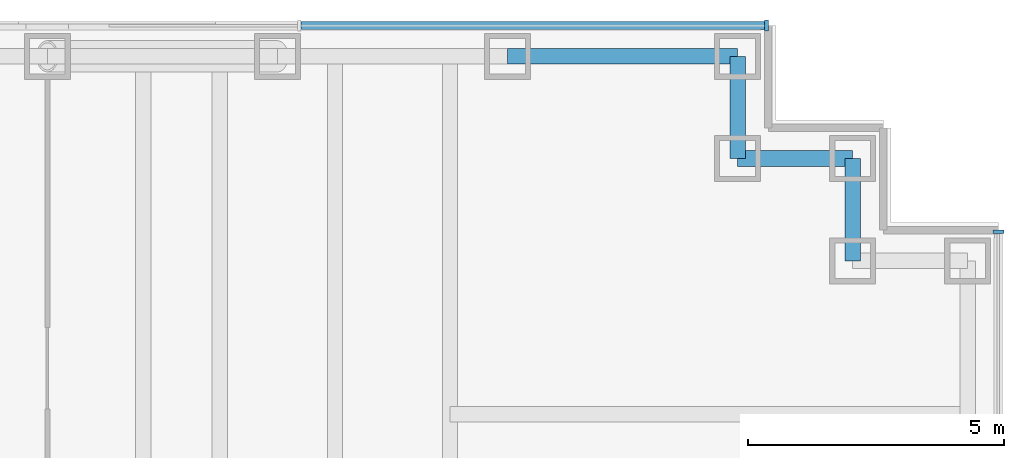
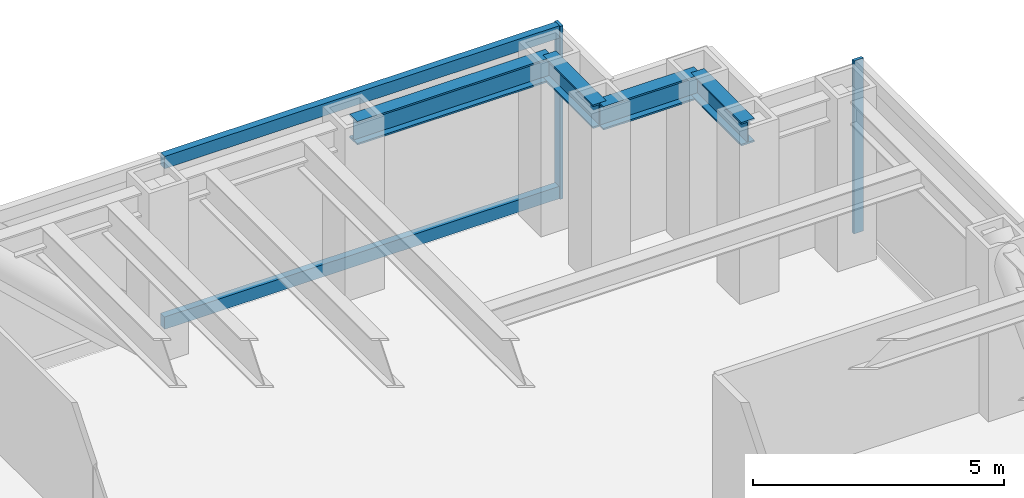
# One storey, part 9 of 15: 4 beams, 4 members, 2 elements without a shape of their own.
"""IFC4 building model written with IfcOpenShell, lengths in metres."""

import ifcopenshell
import ifcopenshell.guid

model = None  # the IFC model being written
_history = None  # IfcOwnerHistory: only IFC2X3 demands one
_inside = {}  # id of a spatial element -> (the spatial element, [elements in it])
_under = {}  # id of a project, library or spatial element -> (it, [spatial elements below it])
_declared = {}  # id of a project -> (the project, [libraries it declares])
_typed = {}  # id of a type object -> (the type object, [elements of that type])
_made_of = {}  # id of a material, layer set ... -> (it, [elements and type objects made of it])


def new_model(schema):
    """Start an empty IFC model of exactly this schema.

    Asked for "IFC4X3", IfcOpenShell would pick the latest addendum, in which some entities
    have other attributes; the version numbers below select the first issue.
    IFC2X3 requires an IfcOwnerHistory on every rooted entity: one is made here for all.
    """
    global model, _history
    if schema == "IFC4X3":
        model = ifcopenshell.file(schema_version=(4, 3, 0, 0))
    else:
        model = ifcopenshell.file(schema=schema)
    _inside.clear()
    _under.clear()
    _declared.clear()
    _typed.clear()
    _made_of.clear()
    _history = None
    if model.schema == "IFC2X3":
        org = make("IfcOrganization", Name="unknown")
        user = make(
            "IfcPersonAndOrganization",
            ThePerson=make("IfcPerson", FamilyName="unknown"),
            TheOrganization=org,
        )
        app = make(
            "IfcApplication",
            ApplicationDeveloper=org,
            Version="unknown",
            ApplicationFullName="unknown",
            ApplicationIdentifier="unknown",
        )
        _history = make(
            "IfcOwnerHistory",
            OwningUser=user,
            OwningApplication=app,
            ChangeAction="ADDED",
            CreationDate=0,
        )
    return model


def make(cls, **values):
    """One entity of the class cls with the attributes given. An attribute that is None is left unset."""
    return model.create_entity(
        cls, **{name: value for name, value in values.items() if value is not None}
    )


def rooted(cls, **values):
    """An entity with a GlobalId (a new one), such as an element, a storey or a relation."""
    return make(cls, GlobalId=ifcopenshell.guid.new(), OwnerHistory=_history, **values)


def si_unit(unit_type, name, prefix=None):
    """IfcSIUnit, for example si_unit("LENGTHUNIT", "METRE", prefix="MILLI")."""
    return make("IfcSIUnit", UnitType=unit_type, Prefix=prefix, Name=name)


def assignment(units):
    """IfcUnitAssignment: the units of a project."""
    return None if units is None else make("IfcUnitAssignment", Units=units)


def point(xyz):
    """IfcCartesianPoint."""
    return None if xyz is None else make("IfcCartesianPoint", Coordinates=xyz)


def direction(xyz):
    """IfcDirection."""
    return None if xyz is None else make("IfcDirection", DirectionRatios=xyz)


def frame(location, z_axis=None, x_axis=None):
    """IfcAxis2Placement3D, a coordinate frame: its origin and axes. An axis left out is left unset."""
    return make(
        "IfcAxis2Placement3D",
        Location=point(location),
        Axis=direction(z_axis),
        RefDirection=direction(x_axis),
    )


def frame_2d(location, x_axis=None):
    """IfcAxis2Placement2D, a coordinate frame in the plane: its origin and x axis."""
    return make(
        "IfcAxis2Placement2D", Location=point(location), RefDirection=direction(x_axis)
    )


def origin():
    """The frame at (0, 0, 0) with its axes left unset."""
    return frame((0.0, 0.0, 0.0))


def origin_2d():
    """The frame at (0, 0) in the plane with its x axis left unset."""
    return frame_2d((0.0, 0.0))


def place(relative_to, where):
    """IfcLocalPlacement: puts the frame where relative to a parent placement (None: the world)."""
    return make(
        "IfcLocalPlacement", PlacementRelTo=relative_to, RelativePlacement=where
    )


def context(
    kind, dimensions, precision=None, world=None, true_north=None, identifier=None
):
    """IfcGeometricRepresentationContext, for example the 3D "Model" context."""
    return make(
        "IfcGeometricRepresentationContext",
        ContextIdentifier=identifier,
        ContextType=kind,
        CoordinateSpaceDimension=dimensions,
        Precision=precision,
        WorldCoordinateSystem=world,
        TrueNorth=true_north,
    )


def subcontext(parent, identifier, kind, view, scale=None):
    """IfcGeometricRepresentationSubContext, for example "Body" below "Model"."""
    return make(
        "IfcGeometricRepresentationSubContext",
        ContextIdentifier=identifier,
        ContextType=kind,
        ParentContext=parent,
        TargetScale=scale,
        TargetView=view,
    )


def project(units=None, contexts=None):
    """IfcProject with its units and contexts."""
    return rooted(
        "IfcProject",
        Name="project",
        RepresentationContexts=contexts,
        UnitsInContext=assignment(units),
    )


def spatial(cls, under=None, at=None, **own):
    """A site, building, storey or space (cls), placed at a placement, below another one or the project."""
    s = rooted(cls, ObjectPlacement=at, **own)
    if under is not None:
        _under.setdefault(under.id(), (under, []))[1].append(s)
    return s


def profile(cls, at=None, kind="AREA", **sizes):
    """A parametric profile (cls). Its sizes go by their IFC names, for example OverallWidth=200.0."""
    return make(cls, ProfileType=kind, Position=at, **sizes)


def rectangle(**sizes):
    """IfcRectangleProfileDef."""
    return profile("IfcRectangleProfileDef", **sizes)


def i_section(**sizes):
    """IfcIShapeProfileDef."""
    return profile("IfcIShapeProfileDef", **sizes)


def extrude(swept, where, along, depth):
    """IfcExtrudedAreaSolid: the profile swept, set in the frame where, extruded along a direction by depth."""
    return make(
        "IfcExtrudedAreaSolid",
        SweptArea=swept,
        Position=where,
        ExtrudedDirection=direction(along),
        Depth=depth,
    )


def shape(context_of_items, identifier, shape_type, items):
    """IfcShapeRepresentation: the items that make up one representation, for example the "Body"."""
    return make(
        "IfcShapeRepresentation",
        ContextOfItems=context_of_items,
        RepresentationIdentifier=identifier,
        RepresentationType=shape_type,
        Items=items,
    )


def material(Name=None, Category=None):
    """IfcMaterial."""
    return make("IfcMaterial", Name=Name, Category=Category)


def material_profile(
    of_material, cross_section, Name=None, Category=None, Priority=None
):
    """IfcMaterialProfile: a cross section and its material."""
    return make(
        "IfcMaterialProfile",
        Name=Name,
        Material=of_material,
        Profile=cross_section,
        Priority=Priority,
        Category=Category,
    )


def profile_set(profiles, Name=None, composite=None):
    """IfcMaterialProfileSet."""
    return make(
        "IfcMaterialProfileSet",
        Name=Name,
        MaterialProfiles=profiles,
        CompositeProfile=composite,
    )


def made_of(thing, what):
    """Note that an element or type object is made of a material, layer set ...; save() writes the relation."""
    if what is not None:
        _made_of.setdefault(what.id(), (what, []))[1].append(thing)
    return thing


def type_object(cls, material=None, **own):
    """A type object (cls), such as IfcWallType, which elements share."""
    return made_of(rooted(cls, **own), material)


def element(
    cls,
    number,
    at=None,
    inside=None,
    cuts=None,
    type_object=None,
    material=None,
    context=None,
    identifier="Body",
    shape_type=None,
    held_by="IfcProductDefinitionShape",
    body=None,
    shapes=None,
    **own,
):
    """One element of the class cls, such as IfcWall. Its Tag is "e" and its number.

    at: its placement. inside: the storey or other place that contains it. cuts: it is an
    opening in that element (IfcRelVoidsElement). A single representation is given by context,
    identifier, shape_type and body (its items); several are given by shapes. held_by: the class
    of the entity that holds the representations. save() writes the other relations.
    """
    e = rooted(cls, Tag="e%d" % number, ObjectPlacement=at, **own)
    if body is not None:
        shapes = [shape(context, identifier, shape_type, body)]
    if shapes is not None:
        e.Representation = make(held_by, Representations=shapes)
    if inside is not None:
        _inside.setdefault(inside.id(), (inside, []))[1].append(e)
    if cuts is not None:
        rooted(
            "IfcRelVoidsElement", RelatingBuildingElement=cuts, RelatedOpeningElement=e
        )
    if type_object is not None:
        _typed.setdefault(type_object.id(), (type_object, []))[1].append(e)
    return made_of(e, material)


def aggregate(whole, parts):
    """IfcRelAggregates: a whole, such as a stair, and the parts it consists of."""
    return rooted("IfcRelAggregates", RelatingObject=whole, RelatedObjects=parts)


def save(model, path):
    """Write the relations noted so far, then the file.

    IfcRelAggregates (storeys below a building ...), IfcRelContainedInSpatialStructure (elements
    in a storey), IfcRelDefinesByType, IfcRelAssociatesMaterial and IfcRelDeclares: one each for
    every whole, place, type object, material and project.
    """
    for whole, parts in _under.values():
        aggregate(whole, parts)
    for where, things in _inside.values():
        rooted(
            "IfcRelContainedInSpatialStructure",
            RelatedElements=things,
            RelatingStructure=where,
        )
    for kind, things in _typed.values():
        rooted("IfcRelDefinesByType", RelatedObjects=things, RelatingType=kind)
    for what, things in _made_of.values():
        rooted("IfcRelAssociatesMaterial", RelatedObjects=things, RelatingMaterial=what)
    for by, libraries in _declared.values():
        rooted("IfcRelDeclares", RelatingContext=by, RelatedDefinitions=libraries)
    model.write(path)


model = new_model("IFC4")

# Units and contexts
model_context = context("Model", 3, precision=1e-05, world=origin(), true_north=direction((0.0, 1.0)))
body_context = subcontext(model_context, "Body", "Model", "MODEL_VIEW")
ifc_project = project(units=[si_unit("LENGTHUNIT", "METRE"), si_unit("AREAUNIT", "SQUARE_METRE"), si_unit("VOLUMEUNIT", "CUBIC_METRE"), si_unit("PLANEANGLEUNIT", "RADIAN"), si_unit("MASSUNIT", "GRAM", prefix="KILO")], contexts=[model_context])

# Site, building, storey
site_placement = place(None, origin())
site = spatial("IfcSite", under=ifc_project, at=site_placement, CompositionType="ELEMENT")
building_placement = place(site_placement, origin())
building = spatial("IfcBuilding", under=site, at=building_placement, Name="Rheinbord Bourse Tower", CompositionType="ELEMENT")
storey_placement = place(building_placement, frame((0.0, 0.0, 134.10009765625)))
storey = spatial("IfcBuildingStorey", under=building, at=storey_placement, Name="L29", CompositionType="ELEMENT", Elevation=134.10009765625)

# Curtain wall, member
ifc_material_1 = material(Name="Dark glass and black aluminium", Category="aluminium")
curtain_wall_type = type_object("IfcCurtainWallType", Name="CW2 DARK GLASS CURTAIN WALL", PredefinedType="USERDEFINED", material=ifc_material_1)
curtain_wall_1_placement = place(storey_placement, origin())
curtain_wall_1 = element("IfcCurtainWall", 1, at=curtain_wall_1_placement, inside=storey, type_object=curtain_wall_type, Name="Curtain wall CW2 E L29", ObjectType="UNITISED CURTAIN WALL", PredefinedType="USERDEFINED")
ifc_material_2 = material(Name="Black anodised aluminium", Category="aluminium")
ifc_material_profile_1 = material_profile(ifc_material_2, rectangle(XDim=0.219970703125, YDim=0.070068359375, at=origin_2d()), Name="CW2 MULLION 70x220")
ifc_profile_set_1 = profile_set([ifc_material_profile_1], Name="Black anodised aluminium")
member_type_1 = type_object("IfcMemberType", Name="CW2 BLACK MULLION", PredefinedType="MULLION", material=ifc_profile_set_1)
member_1_placement = place(storey_placement, frame((72.60009765625, 42.56494140625, 0.0), z_axis=(0.0, 0.0, 1.0), x_axis=(-1.0, 0.0, 0.0)))
member_1 = element("IfcMember", 2, at=member_1_placement, type_object=member_type_1, Name="CW2 mullion 6", PredefinedType="MULLION", context=body_context, shape_type="SweptSolid", body=[
    extrude(rectangle(XDim=0.219970703125, YDim=0.070068359375, at=origin_2d()), origin(), (0.0, 0.0, 1.0), 4.199951171875),
])
aggregate(curtain_wall_1, [member_1])

# Curtain wall, members
curtain_wall_2_placement = place(storey_placement, origin())
curtain_wall_2 = element("IfcCurtainWall", 3, at=curtain_wall_2_placement, inside=storey, type_object=curtain_wall_type, Name="Curtain wall CW2 N L29", ObjectType="UNITISED CURTAIN WALL", PredefinedType="USERDEFINED")
member_2_placement = place(storey_placement, frame((68.06494140625, 46.60009765625, 0.0), z_axis=(0.0, 0.0, 1.0), x_axis=(0.0, -1.0, 0.0)))
member_2 = element("IfcMember", 4, at=member_2_placement, type_object=member_type_1, Name="CW2 mullion 1", PredefinedType="MULLION", context=body_context, shape_type="SweptSolid", body=[
    extrude(rectangle(XDim=0.219970703125, YDim=0.070068359375, at=origin_2d()), origin(), (0.0, 0.0, 1.0), 4.199951171875),
])
ifc_material_3 = material(Name="Black anodised aluminium", Category="aluminium")
ifc_material_profile_2 = material_profile(ifc_material_3, rectangle(XDim=0.159912109375, YDim=0.300048828125, at=origin_2d()), Name="CW2 TRANSOM 300x160")
ifc_profile_set_2 = profile_set([ifc_material_profile_2], Name="Black anodised aluminium")
member_type_2 = type_object("IfcMemberType", Name="CW2 BLACK TRANSOM", PredefinedType="USERDEFINED", material=ifc_profile_set_2)
member_3_placement = place(storey_placement, frame((68.030029296875, 46.60009765625, 0.14990234375), z_axis=(-1.0, 0.0, 0.0), x_axis=(0.0, -1.0, 0.0)))
member_3 = element("IfcMember", 5, at=member_3_placement, type_object=member_type_2, Name="CW2 transom 1.1", ObjectType="TRANSOM", PredefinedType="USERDEFINED", context=body_context, shape_type="SweptSolid", body=[
    extrude(rectangle(XDim=0.159912109375, YDim=0.300048828125, at=origin_2d()), origin(), (0.0, 0.0, 1.0), 9.06640625),
])
member_4_placement = place(storey_placement, frame((68.030029296875, 46.60009765625, 4.0498046875), z_axis=(-1.0, 0.0, 0.0), x_axis=(0.0, -1.0, 0.0)))
member_4 = element("IfcMember", 6, at=member_4_placement, type_object=member_type_2, Name="CW2 transom 1.2", ObjectType="TRANSOM", PredefinedType="USERDEFINED", context=body_context, shape_type="SweptSolid", body=[
    extrude(rectangle(XDim=0.159912109375, YDim=0.300048828125, at=origin_2d()), origin(), (0.0, 0.0, 1.0), 9.06640625),
])
aggregate(curtain_wall_2, [member_2, member_3, member_4])

# Beams
ifc_material_4 = material(Name="Steel S460", Category="steel")
ifc_material_profile_3 = material_profile(ifc_material_4, i_section(OverallWidth=0.305908203125, OverallDepth=0.572021484375, WebThickness=0.02099609375, FlangeThickness=0.0400390625, at=origin_2d()), Name="HEM 550")
ifc_profile_set_3 = profile_set([ifc_material_profile_3], Name="Steel S460")
beam_type = type_object("IfcBeamType", Name="SPANDREL HEM 550", PredefinedType="SPANDREL", material=ifc_profile_set_3)
beam_1_placement = place(storey_placement, frame((69.75, 42.0, 3.75390625), z_axis=(0.0, 1.0, 0.0), x_axis=(-1.0, 0.0, 0.0)))
element("IfcBeam", 7, at=beam_1_placement, inside=storey, type_object=beam_type, Name="Spandrel NE-B-NE-C under L30", PredefinedType="SPANDREL", context=body_context, shape_type="SweptSolid", body=[
    extrude(i_section(OverallWidth=0.305908203125, OverallDepth=0.572021484375, WebThickness=0.02099609375, FlangeThickness=0.0400390625, at=origin_2d()), origin(), (0.0, 0.0, 1.0), 2.0),
])
beam_2_placement = place(storey_placement, frame((69.75, 44.0, 3.75390625), z_axis=(-1.0, 0.0, 0.0), x_axis=(0.0, -1.0, 0.0)))
element("IfcBeam", 8, at=beam_2_placement, inside=storey, type_object=beam_type, Name="Spandrel NE-C-NE-D under L30", PredefinedType="SPANDREL", context=body_context, shape_type="SweptSolid", body=[
    extrude(i_section(OverallWidth=0.305908203125, OverallDepth=0.572021484375, WebThickness=0.02099609375, FlangeThickness=0.0400390625, at=origin_2d()), origin(), (0.0, 0.0, 1.0), 2.25),
])
beam_3_placement = place(storey_placement, frame((67.5, 44.0, 3.75390625), z_axis=(0.0, 1.0, 0.0), x_axis=(-1.0, 0.0, 0.0)))
element("IfcBeam", 9, at=beam_3_placement, inside=storey, type_object=beam_type, Name="Spandrel NE-D-NE-E under L30", PredefinedType="SPANDREL", context=body_context, shape_type="SweptSolid", body=[
    extrude(i_section(OverallWidth=0.305908203125, OverallDepth=0.572021484375, WebThickness=0.02099609375, FlangeThickness=0.0400390625, at=origin_2d()), origin(), (0.0, 0.0, 1.0), 2.0),
])
beam_4_placement = place(storey_placement, frame((67.5, 46.0, 3.75390625), z_axis=(-1.0, 0.0, 0.0), x_axis=(0.0, -1.0, 0.0)))
element("IfcBeam", 10, at=beam_4_placement, inside=storey, type_object=beam_type, Name="Spandrel NE-E-N-63 under L30", PredefinedType="SPANDREL", context=body_context, shape_type="SweptSolid", body=[
    extrude(i_section(OverallWidth=0.305908203125, OverallDepth=0.572021484375, WebThickness=0.02099609375, FlangeThickness=0.0400390625, at=origin_2d()), origin(), (0.0, 0.0, 1.0), 4.5),
])

save(model, "model.ifc")
